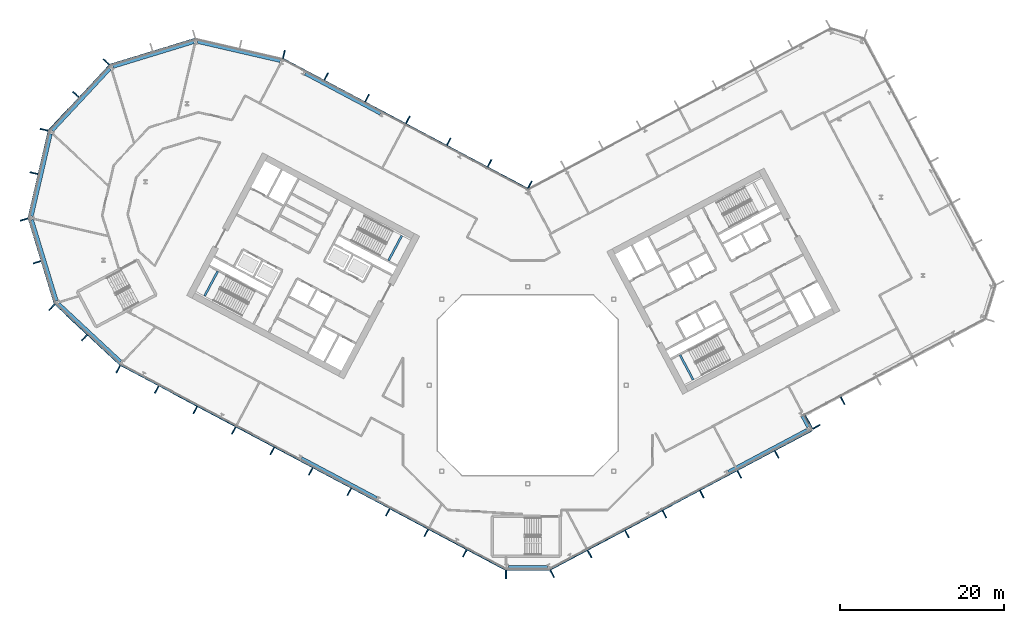
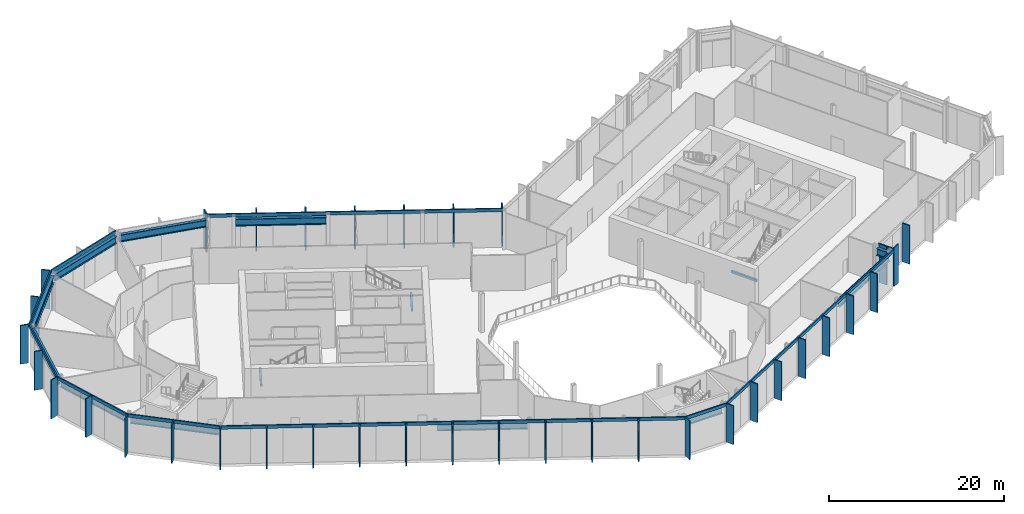
# One storey, part 9 of 31: 46 members, 14 beams, 12 elements without a shape of their own.
"""IFC4 building model written with IfcOpenShell, lengths in metres."""

from ifc_helpers import new_model, si_unit, direction, frame, origin, origin_2d, place, context, subcontext, project, spatial, rectangle, i_section, extrude, material, layer, layer_set, material_profile, profile_set, type_object, element, aggregate, save


model = new_model("IFC4")

# Units and contexts
model_context = context("Model", 3, precision=1e-05, world=origin(), true_north=direction((0.0, 1.0)))
body_context = subcontext(model_context, "Body", "Model", "MODEL_VIEW")
ifc_project = project(units=[si_unit("LENGTHUNIT", "METRE"), si_unit("AREAUNIT", "SQUARE_METRE"), si_unit("VOLUMEUNIT", "CUBIC_METRE"), si_unit("PLANEANGLEUNIT", "RADIAN"), si_unit("MASSUNIT", "GRAM", prefix="KILO")], contexts=[model_context])

# Site, building, storey
site_placement = place(None, origin())
site = spatial("IfcSite", under=ifc_project, at=site_placement, CompositionType="ELEMENT")
building_placement = place(site_placement, origin())
building = spatial("IfcBuilding", under=site, at=building_placement, Name="Cormorant Relay Tower", CompositionType="ELEMENT")
storey_placement = place(building_placement, frame((0.0, 0.0, 178.199951171875)))
storey = spatial("IfcBuildingStorey", under=building, at=storey_placement, Name="L38", CompositionType="ELEMENT", Elevation=178.199951171875)

# Curtain wall, member
ifc_material_1 = material(Name="Aluminium 6063-T6 anodised bronze", Category="aluminium")
ifc_layer = layer(ifc_material_1, 0.199951171875)
ifc_layer_set = layer_set([ifc_layer], Name="CW1 unitised bronze curtain wall with vertical fins")
curtain_wall_type = type_object("IfcCurtainWallType", Name="CW1 unitised bronze curtain wall with vertical fins", PredefinedType="NOTDEFINED", material=ifc_layer_set)
curtain_wall_1_placement = place(storey_placement, origin())
curtain_wall_1 = element("IfcCurtainWall", 1, at=curtain_wall_1_placement, inside=storey, type_object=curtain_wall_type, Name="CW1 curtain wall 1", PredefinedType="NOTDEFINED")
ifc_material_2 = material(Name="Aluminium 6063-T6 anodised bronze", Category="aluminium")
ifc_material_profile_1 = material_profile(ifc_material_2, rectangle(XDim=0.14990234375, YDim=1.0, at=origin_2d()), Name="AL 150x1000")
ifc_profile_set_1 = profile_set([ifc_material_profile_1], Name="Aluminium 6063-T6 anodised bronze")
member_type_1 = type_object("IfcMemberType", Name="CW1 bronze fin mullion 150 x 1000", PredefinedType="MULLION", material=ifc_profile_set_1)
member_1_placement = place(storey_placement, frame((-2.648681640625, -23.07568359375, 0.0), z_axis=(0.0, 0.0, 1.0), x_axis=(1.0, 0.0, 0.0)))
member_1 = element("IfcMember", 2, at=member_1_placement, type_object=member_type_1, Name="CW1 fin 1.1", PredefinedType="MULLION", context=body_context, shape_type="SweptSolid", body=[
    extrude(rectangle(XDim=0.14990234375, YDim=1.0, at=origin_2d()), origin(), (0.0, 0.0, 1.0), 5.400146484375),
])

# Curtain wall, members
curtain_wall_2_placement = place(storey_placement, origin())
curtain_wall_2 = element("IfcCurtainWall", 3, at=curtain_wall_2_placement, inside=storey, type_object=curtain_wall_type, Name="CW1 curtain wall 2", PredefinedType="NOTDEFINED")
member_2_placement = place(storey_placement, frame((2.9775390625, -22.99365234375, 0.0), z_axis=(0.0, 0.0, 1.0), x_axis=(0.882947592859, 0.469471562786, 0.0)))
member_2 = element("IfcMember", 4, at=member_2_placement, type_object=member_type_1, Name="CW1 fin 2.1", PredefinedType="MULLION", context=body_context, shape_type="SweptSolid", body=[
    extrude(rectangle(XDim=0.14990234375, YDim=1.0, at=origin_2d()), origin(), (0.0, 0.0, 1.0), 5.400146484375),
])
member_3_placement = place(storey_placement, frame((7.539306640625, -20.568115234375, 0.0), z_axis=(0.0, 0.0, 1.0), x_axis=(0.882947592859, 0.469471562786, 0.0)))
member_3 = element("IfcMember", 5, at=member_3_placement, type_object=member_type_1, Name="CW1 fin 2.2", PredefinedType="MULLION", context=body_context, shape_type="SweptSolid", body=[
    extrude(rectangle(XDim=0.14990234375, YDim=1.0, at=origin_2d()), origin(), (0.0, 0.0, 1.0), 5.400146484375),
])
member_4_placement = place(storey_placement, frame((12.10107421875, -18.142578125, 0.0), z_axis=(0.0, 0.0, 1.0), x_axis=(0.882947592859, 0.469471562786, 0.0)))
member_4 = element("IfcMember", 6, at=member_4_placement, type_object=member_type_1, Name="CW1 fin 2.3", PredefinedType="MULLION", context=body_context, shape_type="SweptSolid", body=[
    extrude(rectangle(XDim=0.14990234375, YDim=1.0, at=origin_2d()), origin(), (0.0, 0.0, 1.0), 5.400146484375),
])
member_5_placement = place(storey_placement, frame((16.662841796875, -15.717041015625, 0.0), z_axis=(0.0, 0.0, 1.0), x_axis=(0.882947592859, 0.469471562786, 0.0)))
member_5 = element("IfcMember", 7, at=member_5_placement, type_object=member_type_1, Name="CW1 fin 2.4", PredefinedType="MULLION", context=body_context, shape_type="SweptSolid", body=[
    extrude(rectangle(XDim=0.14990234375, YDim=1.0, at=origin_2d()), origin(), (0.0, 0.0, 1.0), 5.400146484375),
])
member_6_placement = place(storey_placement, frame((21.224609375, -13.29150390625, 0.0), z_axis=(0.0, 0.0, 1.0), x_axis=(0.882947592859, 0.469471562786, 0.0)))
member_6 = element("IfcMember", 8, at=member_6_placement, type_object=member_type_1, Name="CW1 fin 2.5", PredefinedType="MULLION", context=body_context, shape_type="SweptSolid", body=[
    extrude(rectangle(XDim=0.14990234375, YDim=1.0, at=origin_2d()), origin(), (0.0, 0.0, 1.0), 5.400146484375),
])
member_7_placement = place(storey_placement, frame((25.78662109375, -10.865966796875, 0.0), z_axis=(0.0, 0.0, 1.0), x_axis=(0.882947592859, 0.469471562786, 0.0)))
member_7 = element("IfcMember", 9, at=member_7_placement, type_object=member_type_1, Name="CW1 fin 2.6", PredefinedType="MULLION", context=body_context, shape_type="SweptSolid", body=[
    extrude(rectangle(XDim=0.14990234375, YDim=1.0, at=origin_2d()), origin(), (0.0, 0.0, 1.0), 5.400146484375),
])
member_8_placement = place(storey_placement, frame((30.348388671875, -8.440185546875, 0.0), z_axis=(0.0, 0.0, 1.0), x_axis=(0.882947592859, 0.469471562786, 0.0)))
member_8 = element("IfcMember", 10, at=member_8_placement, type_object=member_type_1, Name="CW1 fin 2.7", PredefinedType="MULLION", context=body_context, shape_type="SweptSolid", body=[
    extrude(rectangle(XDim=0.14990234375, YDim=1.0, at=origin_2d()), origin(), (0.0, 0.0, 1.0), 5.400146484375),
])

# Curtain wall, member
curtain_wall_3_placement = place(storey_placement, origin())
curtain_wall_3 = element("IfcCurtainWall", 11, at=curtain_wall_3_placement, inside=storey, type_object=curtain_wall_type, Name="CW1 curtain wall 3", PredefinedType="NOTDEFINED")
member_9_placement = place(storey_placement, frame((35.199462890625, -5.068115234375, 0.0), z_axis=(0.0, 0.0, 1.0), x_axis=(-0.469471562786, 0.882947592859, 0.0)))
member_9 = element("IfcMember", 12, at=member_9_placement, type_object=member_type_1, Name="CW1 fin 3.1", PredefinedType="MULLION", context=body_context, shape_type="SweptSolid", body=[
    extrude(rectangle(XDim=0.14990234375, YDim=1.0, at=origin_2d()), origin(), (0.0, 0.0, 1.0), 5.400146484375),
])

# Curtain wall, members
curtain_wall_4_placement = place(storey_placement, origin())
curtain_wall_4 = element("IfcCurtainWall", 13, at=curtain_wall_4_placement, inside=storey, type_object=curtain_wall_type, Name="CW1 curtain wall 4", PredefinedType="NOTDEFINED")
member_10_placement = place(storey_placement, frame((34.037353515625, -4.213623046875, 0.0), z_axis=(0.0, 0.0, 1.0), x_axis=(0.882947592859, 0.469471562786, 0.0)))
member_10 = element("IfcMember", 14, at=member_10_placement, type_object=member_type_1, Name="CW1 fin 4.1", PredefinedType="MULLION", context=body_context, shape_type="SweptSolid", body=[
    extrude(rectangle(XDim=0.14990234375, YDim=1.0, at=origin_2d()), origin(), (0.0, 0.0, 1.0), 5.400146484375),
])
member_11_placement = place(storey_placement, frame((38.385986328125, -1.901611328125, 0.0), z_axis=(0.0, 0.0, 1.0), x_axis=(0.882947592859, 0.469471562786, 0.0)))
member_11 = element("IfcMember", 15, at=member_11_placement, type_object=member_type_1, Name="CW1 fin 4.2", PredefinedType="MULLION", context=body_context, shape_type="SweptSolid", body=[
    extrude(rectangle(XDim=0.14990234375, YDim=1.0, at=origin_2d()), origin(), (0.0, 0.0, 1.0), 5.400146484375),
])
aggregate(curtain_wall_4, [member_10, member_11])

curtain_wall_5_placement = place(storey_placement, origin())
curtain_wall_5 = element("IfcCurtainWall", 16, at=curtain_wall_5_placement, inside=storey, type_object=curtain_wall_type, Name="CW1 curtain wall 9", PredefinedType="NOTDEFINED")
member_12_placement = place(storey_placement, frame((0.262451171875, 24.437255859375, 0.0), z_axis=(0.0, 0.0, 1.0), x_axis=(-0.882947592859, 0.469471562786, 0.0)))
member_12 = element("IfcMember", 17, at=member_12_placement, type_object=member_type_1, Name="CW1 fin 9.1", PredefinedType="MULLION", context=body_context, shape_type="SweptSolid", body=[
    extrude(rectangle(XDim=0.14990234375, YDim=1.0, at=origin_2d()), origin(), (0.0, 0.0, 1.0), 5.400146484375),
])
member_13_placement = place(storey_placement, frame((-4.650390625, 27.04931640625, 0.0), z_axis=(0.0, 0.0, 1.0), x_axis=(-0.882947592859, 0.469471562786, 0.0)))
member_13 = element("IfcMember", 18, at=member_13_placement, type_object=member_type_1, Name="CW1 fin 9.2", PredefinedType="MULLION", context=body_context, shape_type="SweptSolid", body=[
    extrude(rectangle(XDim=0.14990234375, YDim=1.0, at=origin_2d()), origin(), (0.0, 0.0, 1.0), 5.400146484375),
])
member_14_placement = place(storey_placement, frame((-9.62939453125, 29.69677734375, 0.0), z_axis=(0.0, 0.0, 1.0), x_axis=(-0.882947592859, 0.469471562786, 0.0)))
member_14 = element("IfcMember", 19, at=member_14_placement, type_object=member_type_1, Name="CW1 fin 9.3", PredefinedType="MULLION", context=body_context, shape_type="SweptSolid", body=[
    extrude(rectangle(XDim=0.14990234375, YDim=1.0, at=origin_2d()), origin(), (0.0, 0.0, 1.0), 5.400146484375),
])
member_15_placement = place(storey_placement, frame((-14.608154296875, 32.343994140625, 0.0), z_axis=(0.0, 0.0, 1.0), x_axis=(-0.882947592859, 0.469471562786, 0.0)))
member_15 = element("IfcMember", 20, at=member_15_placement, type_object=member_type_1, Name="CW1 fin 9.4", PredefinedType="MULLION", context=body_context, shape_type="SweptSolid", body=[
    extrude(rectangle(XDim=0.14990234375, YDim=1.0, at=origin_2d()), origin(), (0.0, 0.0, 1.0), 5.400146484375),
])
member_16_placement = place(storey_placement, frame((-19.587158203125, 34.991455078125, 0.0), z_axis=(0.0, 0.0, 1.0), x_axis=(-0.882947592859, 0.469471562786, 0.0)))
member_16 = element("IfcMember", 21, at=member_16_placement, type_object=member_type_1, Name="CW1 fin 9.5", PredefinedType="MULLION", context=body_context, shape_type="SweptSolid", body=[
    extrude(rectangle(XDim=0.14990234375, YDim=1.0, at=origin_2d()), origin(), (0.0, 0.0, 1.0), 5.400146484375),
])
member_17_placement = place(storey_placement, frame((-24.566162109375, 37.638916015625, 0.0), z_axis=(0.0, 0.0, 1.0), x_axis=(-0.882947592859, 0.469471562786, 0.0)))
member_17 = element("IfcMember", 22, at=member_17_placement, type_object=member_type_1, Name="CW1 fin 9.6", PredefinedType="MULLION", context=body_context, shape_type="SweptSolid", body=[
    extrude(rectangle(XDim=0.14990234375, YDim=1.0, at=origin_2d()), origin(), (0.0, 0.0, 1.0), 5.400146484375),
])

# Curtain wall, member
curtain_wall_6_placement = place(storey_placement, origin())
curtain_wall_6 = element("IfcCurtainWall", 23, at=curtain_wall_6_placement, inside=storey, type_object=curtain_wall_type, Name="CW1 curtain wall 10", PredefinedType="NOTDEFINED")
member_18_placement = place(storey_placement, frame((-29.71630859375, 40.35009765625, 0.0), z_axis=(0.0, 0.0, 1.0), x_axis=(-0.974370064785, 0.224951054344, 0.0)))
member_18 = element("IfcMember", 24, at=member_18_placement, type_object=member_type_1, Name="CW1 fin 10.1", PredefinedType="MULLION", context=body_context, shape_type="SweptSolid", body=[
    extrude(rectangle(XDim=0.14990234375, YDim=1.0, at=origin_2d()), origin(), (0.0, 0.0, 1.0), 5.400146484375),
])
aggregate(curtain_wall_6, [member_18])

# Curtain wall, members
curtain_wall_7_placement = place(storey_placement, origin())
curtain_wall_7 = element("IfcCurtainWall", 25, at=curtain_wall_7_placement, inside=storey, type_object=curtain_wall_type, Name="CW1 curtain wall 12", PredefinedType="NOTDEFINED")
member_19_placement = place(storey_placement, frame((-51.372802734375, 39.41259765625, 0.0), z_axis=(0.0, 0.0, 1.0), x_axis=(-0.681998360062, -0.731353701619, 0.0)))
member_19 = element("IfcMember", 26, at=member_19_placement, type_object=member_type_1, Name="CW1 fin 12.1", PredefinedType="MULLION", context=body_context, shape_type="SweptSolid", body=[
    extrude(rectangle(XDim=0.14990234375, YDim=1.0, at=origin_2d()), origin(), (0.0, 0.0, 1.0), 5.400146484375),
])
member_20_placement = place(storey_placement, frame((-55.07958984375, 35.4375, 0.0), z_axis=(0.0, 0.0, 1.0), x_axis=(-0.681998360062, -0.731353701619, 0.0)))
member_20 = element("IfcMember", 27, at=member_20_placement, type_object=member_type_1, Name="CW1 fin 12.2", PredefinedType="MULLION", context=body_context, shape_type="SweptSolid", body=[
    extrude(rectangle(XDim=0.14990234375, YDim=1.0, at=origin_2d()), origin(), (0.0, 0.0, 1.0), 5.400146484375),
])

curtain_wall_8_placement = place(storey_placement, origin())
curtain_wall_8 = element("IfcCurtainWall", 28, at=curtain_wall_8_placement, inside=storey, type_object=curtain_wall_type, Name="CW1 curtain wall 13", PredefinedType="NOTDEFINED")
member_21_placement = place(storey_placement, frame((-58.95654296875, 31.142578125, 0.0), z_axis=(0.0, 0.0, 1.0), x_axis=(-0.224951054344, -0.974370064785, 0.0)))
member_21 = element("IfcMember", 29, at=member_21_placement, type_object=member_type_1, Name="CW1 fin 13.1", PredefinedType="MULLION", context=body_context, shape_type="SweptSolid", body=[
    extrude(rectangle(XDim=0.14990234375, YDim=1.0, at=origin_2d()), origin(), (0.0, 0.0, 1.0), 5.400146484375),
])
member_22_placement = place(storey_placement, frame((-60.17919921875, 25.8466796875, 0.0), z_axis=(0.0, 0.0, 1.0), x_axis=(-0.224951054344, -0.974370064785, 0.0)))
member_22 = element("IfcMember", 30, at=member_22_placement, type_object=member_type_1, Name="CW1 fin 13.2", PredefinedType="MULLION", context=body_context, shape_type="SweptSolid", body=[
    extrude(rectangle(XDim=0.14990234375, YDim=1.0, at=origin_2d()), origin(), (0.0, 0.0, 1.0), 5.400146484375),
])

curtain_wall_9_placement = place(storey_placement, origin())
curtain_wall_9 = element("IfcCurtainWall", 31, at=curtain_wall_9_placement, inside=storey, type_object=curtain_wall_type, Name="CW1 curtain wall 14", PredefinedType="NOTDEFINED")
member_23_placement = place(storey_placement, frame((-61.389404296875, 20.188720703125, 0.0), z_axis=(0.0, 0.0, 1.0), x_axis=(0.292371704723, -0.956304755963, 0.0)))
member_23 = element("IfcMember", 32, at=member_23_placement, type_object=member_type_1, Name="CW1 fin 14.1", PredefinedType="MULLION", context=body_context, shape_type="SweptSolid", body=[
    extrude(rectangle(XDim=0.14990234375, YDim=1.0, at=origin_2d()), origin(), (0.0, 0.0, 1.0), 5.400146484375),
])
member_24_placement = place(storey_placement, frame((-59.80029296875, 14.990966796875, 0.0), z_axis=(0.0, 0.0, 1.0), x_axis=(0.292371704723, -0.956304755963, 0.0)))
member_24 = element("IfcMember", 33, at=member_24_placement, type_object=member_type_1, Name="CW1 fin 14.2", PredefinedType="MULLION", context=body_context, shape_type="SweptSolid", body=[
    extrude(rectangle(XDim=0.14990234375, YDim=1.0, at=origin_2d()), origin(), (0.0, 0.0, 1.0), 5.400146484375),
])

curtain_wall_10_placement = place(storey_placement, origin())
curtain_wall_10 = element("IfcCurtainWall", 34, at=curtain_wall_10_placement, inside=storey, type_object=curtain_wall_type, Name="CW1 curtain wall 15", PredefinedType="NOTDEFINED")
member_25_placement = place(storey_placement, frame((-58.01904296875, 9.486083984375, 0.0), z_axis=(0.0, 0.0, 1.0), x_axis=(0.731353701619, -0.681998360062, 0.0)))
member_25 = element("IfcMember", 35, at=member_25_placement, type_object=member_type_1, Name="CW1 fin 15.1", PredefinedType="MULLION", context=body_context, shape_type="SweptSolid", body=[
    extrude(rectangle(XDim=0.14990234375, YDim=1.0, at=origin_2d()), origin(), (0.0, 0.0, 1.0), 5.400146484375),
])
member_26_placement = place(storey_placement, frame((-54.0439453125, 5.779296875, 0.0), z_axis=(0.0, 0.0, 1.0), x_axis=(0.731353701619, -0.681998360062, 0.0)))
member_26 = element("IfcMember", 36, at=member_26_placement, type_object=member_type_1, Name="CW1 fin 15.2", PredefinedType="MULLION", context=body_context, shape_type="SweptSolid", body=[
    extrude(rectangle(XDim=0.14990234375, YDim=1.0, at=origin_2d()), origin(), (0.0, 0.0, 1.0), 5.400146484375),
])

curtain_wall_11_placement = place(storey_placement, origin())
curtain_wall_11 = element("IfcCurtainWall", 37, at=curtain_wall_11_placement, inside=storey, type_object=curtain_wall_type, Name="CW1 curtain wall 16", PredefinedType="NOTDEFINED")
member_27_placement = place(storey_placement, frame((-49.920166015625, 1.96630859375, 0.0), z_axis=(0.0, 0.0, 1.0), x_axis=(0.882947592859, -0.469471562786, 0.0)))
member_27 = element("IfcMember", 38, at=member_27_placement, type_object=member_type_1, Name="CW1 fin 16.1", PredefinedType="MULLION", context=body_context, shape_type="SweptSolid", body=[
    extrude(rectangle(XDim=0.14990234375, YDim=1.0, at=origin_2d()), origin(), (0.0, 0.0, 1.0), 5.400146484375),
])
member_28_placement = place(storey_placement, frame((-45.225830078125, -0.52978515625, 0.0), z_axis=(0.0, 0.0, 1.0), x_axis=(0.882947592859, -0.469471562786, 0.0)))
member_28 = element("IfcMember", 39, at=member_28_placement, type_object=member_type_1, Name="CW1 fin 16.2", PredefinedType="MULLION", context=body_context, shape_type="SweptSolid", body=[
    extrude(rectangle(XDim=0.14990234375, YDim=1.0, at=origin_2d()), origin(), (0.0, 0.0, 1.0), 5.400146484375),
])
member_29_placement = place(storey_placement, frame((-40.531494140625, -3.025634765625, 0.0), z_axis=(0.0, 0.0, 1.0), x_axis=(0.882947592859, -0.469471562786, 0.0)))
member_29 = element("IfcMember", 40, at=member_29_placement, type_object=member_type_1, Name="CW1 fin 16.3", PredefinedType="MULLION", context=body_context, shape_type="SweptSolid", body=[
    extrude(rectangle(XDim=0.14990234375, YDim=1.0, at=origin_2d()), origin(), (0.0, 0.0, 1.0), 5.400146484375),
])
member_30_placement = place(storey_placement, frame((-35.83740234375, -5.521728515625, 0.0), z_axis=(0.0, 0.0, 1.0), x_axis=(0.882947592859, -0.469471562786, 0.0)))
member_30 = element("IfcMember", 41, at=member_30_placement, type_object=member_type_1, Name="CW1 fin 16.4", PredefinedType="MULLION", context=body_context, shape_type="SweptSolid", body=[
    extrude(rectangle(XDim=0.14990234375, YDim=1.0, at=origin_2d()), origin(), (0.0, 0.0, 1.0), 5.400146484375),
])
member_31_placement = place(storey_placement, frame((-31.14306640625, -8.017578125, 0.0), z_axis=(0.0, 0.0, 1.0), x_axis=(0.882947592859, -0.469471562786, 0.0)))
member_31 = element("IfcMember", 42, at=member_31_placement, type_object=member_type_1, Name="CW1 fin 16.5", PredefinedType="MULLION", context=body_context, shape_type="SweptSolid", body=[
    extrude(rectangle(XDim=0.14990234375, YDim=1.0, at=origin_2d()), origin(), (0.0, 0.0, 1.0), 5.400146484375),
])
member_32_placement = place(storey_placement, frame((-26.44873046875, -10.513671875, 0.0), z_axis=(0.0, 0.0, 1.0), x_axis=(0.882947592859, -0.469471562786, 0.0)))
member_32 = element("IfcMember", 43, at=member_32_placement, type_object=member_type_1, Name="CW1 fin 16.6", PredefinedType="MULLION", context=body_context, shape_type="SweptSolid", body=[
    extrude(rectangle(XDim=0.14990234375, YDim=1.0, at=origin_2d()), origin(), (0.0, 0.0, 1.0), 5.400146484375),
])
member_33_placement = place(storey_placement, frame((-21.754638671875, -13.009765625, 0.0), z_axis=(0.0, 0.0, 1.0), x_axis=(0.882947592859, -0.469471562786, 0.0)))
member_33 = element("IfcMember", 44, at=member_33_placement, type_object=member_type_1, Name="CW1 fin 16.7", PredefinedType="MULLION", context=body_context, shape_type="SweptSolid", body=[
    extrude(rectangle(XDim=0.14990234375, YDim=1.0, at=origin_2d()), origin(), (0.0, 0.0, 1.0), 5.400146484375),
])
member_34_placement = place(storey_placement, frame((-17.060302734375, -15.505615234375, 0.0), z_axis=(0.0, 0.0, 1.0), x_axis=(0.882947592859, -0.469471562786, 0.0)))
member_34 = element("IfcMember", 45, at=member_34_placement, type_object=member_type_1, Name="CW1 fin 16.8", PredefinedType="MULLION", context=body_context, shape_type="SweptSolid", body=[
    extrude(rectangle(XDim=0.14990234375, YDim=1.0, at=origin_2d()), origin(), (0.0, 0.0, 1.0), 5.400146484375),
])
member_35_placement = place(storey_placement, frame((-12.365966796875, -18.001708984375, 0.0), z_axis=(0.0, 0.0, 1.0), x_axis=(0.882947592859, -0.469471562786, 0.0)))
member_35 = element("IfcMember", 46, at=member_35_placement, type_object=member_type_1, Name="CW1 fin 16.9", PredefinedType="MULLION", context=body_context, shape_type="SweptSolid", body=[
    extrude(rectangle(XDim=0.14990234375, YDim=1.0, at=origin_2d()), origin(), (0.0, 0.0, 1.0), 5.400146484375),
])
member_36_placement = place(storey_placement, frame((-7.671630859375, -20.49755859375, 0.0), z_axis=(0.0, 0.0, 1.0), x_axis=(0.882947592859, -0.469471562786, 0.0)))
member_36 = element("IfcMember", 47, at=member_36_placement, type_object=member_type_1, Name="CW1 fin 16.10", PredefinedType="MULLION", context=body_context, shape_type="SweptSolid", body=[
    extrude(rectangle(XDim=0.14990234375, YDim=1.0, at=origin_2d()), origin(), (0.0, 0.0, 1.0), 5.400146484375),
])

# Member
ifc_material_3 = material(Name="Aluminium 6063-T6 anodised bronze", Category="aluminium")
ifc_material_profile_2 = material_profile(ifc_material_3, rectangle(XDim=0.159912109375, YDim=0.449951171875, at=origin_2d()), Name="AL 160x450")
ifc_profile_set_2 = profile_set([ifc_material_profile_2], Name="Aluminium 6063-T6 anodised bronze")
member_type_2 = type_object("IfcMemberType", Name="CW1 bronze transom 160 x 450", PredefinedType="USERDEFINED", material=ifc_profile_set_2)
member_37_placement = place(storey_placement, frame((-2.648681640625, -22.49560546875, 5.175048828125), z_axis=(1.0, 0.0, 0.0), x_axis=(0.0, 1.0, 0.0)))
member_37 = element("IfcMember", 48, at=member_37_placement, type_object=member_type_2, Name="CW1 transom 1", ObjectType="TRANSOM", PredefinedType="USERDEFINED", context=body_context, shape_type="SweptSolid", body=[
    extrude(rectangle(XDim=0.159912109375, YDim=0.449951171875, at=origin_2d()), origin(), (0.0, 0.0, 1.0), 5.29736328125),
])

aggregate(curtain_wall_1, [member_1, member_37])

member_38_placement = place(storey_placement, frame((2.705078125, -22.4814453125, 5.175048828125), z_axis=(0.882948899141, 0.469469106018, 0.0), x_axis=(-0.469469106018, 0.882948899141, 0.0)))
member_38 = element("IfcMember", 49, at=member_38_placement, type_object=member_type_2, Name="CW1 transom 2", ObjectType="TRANSOM", PredefinedType="USERDEFINED", context=body_context, shape_type="SweptSolid", body=[
    extrude(rectangle(XDim=0.159912109375, YDim=0.449951171875, at=origin_2d()), origin(), (0.0, 0.0, 1.0), 36.165771484375),
])

aggregate(curtain_wall_2, [member_2, member_3, member_4, member_5, member_6, member_7, member_8, member_38])

member_39_placement = place(storey_placement, frame((34.6875, -5.34033203125, 5.175048828125), z_axis=(-0.469580583036, 0.88288961713, 0.0), x_axis=(-0.88288961713, -0.469580583036, 0.0)))
member_39 = element("IfcMember", 50, at=member_39_placement, type_object=member_type_2, Name="CW1 transom 3", ObjectType="TRANSOM", PredefinedType="USERDEFINED", context=body_context, shape_type="SweptSolid", body=[
    extrude(rectangle(XDim=0.159912109375, YDim=0.449951171875, at=origin_2d()), origin(), (0.0, 0.0, 1.0), 2.0),
])

aggregate(curtain_wall_3, [member_9, member_39])

member_40_placement = place(storey_placement, frame((0.056396484375, 23.889892578125, 5.175048828125), z_axis=(-0.882946280328, 0.46947403129, 0.0), x_axis=(-0.46947403129, -0.882946280328, 0.0)))
member_40 = element("IfcMember", 51, at=member_40_placement, type_object=member_type_2, Name="CW1 transom 9", ObjectType="TRANSOM", PredefinedType="USERDEFINED", context=body_context, shape_type="SweptSolid", body=[
    extrude(rectangle(XDim=0.159912109375, YDim=0.449951171875, at=origin_2d()), origin(), (0.0, 0.0, 1.0), 33.834228515625),
])

aggregate(curtain_wall_5, [member_12, member_13, member_14, member_15, member_16, member_17, member_40])

# Curtain wall, member
curtain_wall_12_placement = place(storey_placement, origin())
curtain_wall_12 = element("IfcCurtainWall", 52, at=curtain_wall_12_placement, inside=storey, type_object=curtain_wall_type, Name="CW1 curtain wall 11", PredefinedType="NOTDEFINED")
member_41_placement = place(storey_placement, frame((-40.50048828125, 42.228271484375, 5.175048828125), z_axis=(-0.956304833932, -0.292371449698, 0.0), x_axis=(0.292371449698, -0.956304833932, 0.0)))
member_41 = element("IfcMember", 53, at=member_41_placement, type_object=member_type_2, Name="CW1 transom 11", ObjectType="TRANSOM", PredefinedType="USERDEFINED", context=body_context, shape_type="SweptSolid", body=[
    extrude(rectangle(XDim=0.159912109375, YDim=0.449951171875, at=origin_2d()), origin(), (0.0, 0.0, 1.0), 10.87060546875),
])
aggregate(curtain_wall_12, [member_41])

# Member
member_42_placement = place(storey_placement, frame((-50.94873046875, 39.01708984375, 5.175048828125), z_axis=(-0.681993299437, -0.731358420696, 0.0), x_axis=(0.731358420696, -0.681993299437, 0.0)))
member_42 = element("IfcMember", 54, at=member_42_placement, type_object=member_type_2, Name="CW1 transom 12", ObjectType="TRANSOM", PredefinedType="USERDEFINED", context=body_context, shape_type="SweptSolid", body=[
    extrude(rectangle(XDim=0.159912109375, YDim=0.449951171875, at=origin_2d()), origin(), (0.0, 0.0, 1.0), 10.870361328125),
])

aggregate(curtain_wall_7, [member_19, member_20, member_42])

member_43_placement = place(storey_placement, frame((-58.3916015625, 31.01220703125, 5.175048828125), z_axis=(-0.22495136131, -0.974369993916, 0.0), x_axis=(0.974369993916, -0.22495136131, 0.0)))
member_43 = element("IfcMember", 55, at=member_43_placement, type_object=member_type_2, Name="CW1 transom 13", ObjectType="TRANSOM", PredefinedType="USERDEFINED", context=body_context, shape_type="SweptSolid", body=[
    extrude(rectangle(XDim=0.159912109375, YDim=0.449951171875, at=origin_2d()), origin(), (0.0, 0.0, 1.0), 10.870361328125),
])

aggregate(curtain_wall_8, [member_21, member_22, member_43])

member_44_placement = place(storey_placement, frame((-60.834716796875, 20.358154296875, 5.175048828125), z_axis=(0.292377729282, -0.95630291405, 0.0), x_axis=(0.95630291405, 0.292377729282, 0.0)))
member_44 = element("IfcMember", 56, at=member_44_placement, type_object=member_type_2, Name="CW1 transom 14", ObjectType="TRANSOM", PredefinedType="USERDEFINED", context=body_context, shape_type="SweptSolid", body=[
    extrude(rectangle(XDim=0.159912109375, YDim=0.449951171875, at=origin_2d()), origin(), (0.0, 0.0, 1.0), 10.870361328125),
])

aggregate(curtain_wall_9, [member_23, member_24, member_44])

member_45_placement = place(storey_placement, frame((-57.62353515625, 9.91015625, 5.175048828125), z_axis=(0.731358420696, -0.681993299437, 0.0), x_axis=(0.681993299437, 0.731358420696, 0.0)))
member_45 = element("IfcMember", 57, at=member_45_placement, type_object=member_type_2, Name="CW1 transom 15", ObjectType="TRANSOM", PredefinedType="USERDEFINED", context=body_context, shape_type="SweptSolid", body=[
    extrude(rectangle(XDim=0.159912109375, YDim=0.449951171875, at=origin_2d()), origin(), (0.0, 0.0, 1.0), 10.870361328125),
])

aggregate(curtain_wall_10, [member_25, member_26, member_45])

member_46_placement = place(storey_placement, frame((-49.64794921875, 2.478515625, 5.175048828125), z_axis=(0.882947642542, -0.469471469346, 0.0), x_axis=(0.469471469346, 0.882947642542, 0.0)))
member_46 = element("IfcMember", 58, at=member_46_placement, type_object=member_type_2, Name="CW1 transom 16", ObjectType="TRANSOM", PredefinedType="USERDEFINED", context=body_context, shape_type="SweptSolid", body=[
    extrude(rectangle(XDim=0.159912109375, YDim=0.449951171875, at=origin_2d()), origin(), (0.0, 0.0, 1.0), 53.166015625),
])

aggregate(curtain_wall_11, [member_27, member_28, member_29, member_30, member_31, member_32, member_33, member_34, member_35, member_36, member_46])

# Beams
ifc_material_4 = material(Name="Steel ASTM A992 (Fy 345 MPa)", Category="steel")
ifc_material_profile_3 = material_profile(ifc_material_4, i_section(OverallWidth=0.4013671875, OverallDepth=1.000732421875, WebThickness=0.01904296875, FlangeThickness=0.0361328125, FilletRadius=0.02978515625, at=origin_2d()), Name="W1000x371")
ifc_profile_set_3 = profile_set([ifc_material_profile_3], Name="Steel ASTM A992 (Fy 345 MPa)")
beam_type_1 = type_object("IfcBeamType", Name="Spandrel W1000x371", PredefinedType="SPANDREL", material=ifc_profile_set_3)
beam_1_placement = place(storey_placement, frame((-2.35888671875, -22.1748046875, 4.44970703125), z_axis=(1.0, 0.0, 0.0), x_axis=(0.0, 1.0, 0.0)))
element("IfcBeam", 59, at=beam_1_placement, inside=storey, type_object=beam_type_1, Name="Spandrel beam L38-001", PredefinedType="SPANDREL", context=body_context, shape_type="SweptSolid", body=[
    extrude(i_section(OverallWidth=0.4013671875, OverallDepth=1.000732421875, WebThickness=0.01904296875, FlangeThickness=0.0361328125, FilletRadius=0.02978515625, at=origin_2d()), origin(), (0.0, 0.0, 1.0), 4.748046875),
])
beam_2_placement = place(storey_placement, frame((24.427001953125, -10.568603515625, 4.44970703125), z_axis=(0.88295524081, 0.469457178799, 0.0), x_axis=(-0.469457178799, 0.88295524081, 0.0)))
element("IfcBeam", 60, at=beam_2_placement, inside=storey, type_object=beam_type_1, Name="Spandrel beam L38-002", PredefinedType="SPANDREL", context=body_context, shape_type="SweptSolid", body=[
    extrude(i_section(OverallWidth=0.4013671875, OverallDepth=1.000732421875, WebThickness=0.01904296875, FlangeThickness=0.0361328125, FilletRadius=0.02978515625, at=origin_2d()), origin(), (0.0, 0.0, 1.0), 10.915771484375),
])
beam_3_placement = place(storey_placement, frame((34.191650390625, -5.091064453125, 4.44970703125), z_axis=(-0.469471937736, 0.882947393494, 0.0), x_axis=(-0.882947393494, -0.469471937736, 0.0)))
element("IfcBeam", 61, at=beam_3_placement, inside=storey, type_object=beam_type_1, Name="Spandrel beam L38-003", PredefinedType="SPANDREL", context=body_context, shape_type="SweptSolid", body=[
    extrude(i_section(OverallWidth=0.4013671875, OverallDepth=1.000732421875, WebThickness=0.01904296875, FlangeThickness=0.0361328125, FilletRadius=0.02978515625, at=origin_2d()), origin(), (0.0, 0.0, 1.0), 1.521728515625),
])
beam_4_placement = place(storey_placement, frame((-17.964599609375, 33.108642578125, 4.44970703125), z_axis=(-0.882946180893, 0.469474218299, 0.0), x_axis=(-0.469474218299, -0.882946180893, 0.0)))
element("IfcBeam", 62, at=beam_4_placement, inside=storey, type_object=beam_type_1, Name="Spandrel beam L38-009", PredefinedType="SPANDREL", context=body_context, shape_type="SweptSolid", body=[
    extrude(i_section(OverallWidth=0.4013671875, OverallDepth=1.000732421875, WebThickness=0.01904296875, FlangeThickness=0.0361328125, FilletRadius=0.02978515625, at=origin_2d()), origin(), (0.0, 0.0, 1.0), 10.388671875),
])
beam_5_placement = place(storey_placement, frame((-30.162109375, 39.52880859375, 4.44970703125), z_axis=(-0.974371727644, 0.224943851591, 0.0), x_axis=(-0.224943851591, -0.974371727644, 0.0)))
element("IfcBeam", 63, at=beam_5_placement, inside=storey, type_object=beam_type_1, Name="Spandrel beam L38-010", PredefinedType="SPANDREL", context=body_context, shape_type="SweptSolid", body=[
    extrude(i_section(OverallWidth=0.4013671875, OverallDepth=1.000732421875, WebThickness=0.01904296875, FlangeThickness=0.0361328125, FilletRadius=0.02978515625, at=origin_2d()), origin(), (0.0, 0.0, 1.0), 10.3583984375),
])
beam_6_placement = place(storey_placement, frame((-40.69140625, 41.834716796875, 4.44970703125), z_axis=(-0.95629714744, -0.292396589921, 0.0), x_axis=(0.292396589921, -0.95629714744, 0.0)))
element("IfcBeam", 64, at=beam_6_placement, inside=storey, type_object=beam_type_1, Name="Spandrel beam L38-011", PredefinedType="SPANDREL", context=body_context, shape_type="SweptSolid", body=[
    extrude(i_section(OverallWidth=0.4013671875, OverallDepth=1.000732421875, WebThickness=0.01904296875, FlangeThickness=0.0361328125, FilletRadius=0.02978515625, at=origin_2d()), origin(), (0.0, 0.0, 1.0), 10.31103515625),
])
beam_7_placement = place(storey_placement, frame((-50.917236328125, 38.58056640625, 4.44970703125), z_axis=(-0.682003508788, -0.731348900321, 0.0), x_axis=(0.731348900321, -0.682003508788, 0.0)))
element("IfcBeam", 65, at=beam_7_placement, inside=storey, type_object=beam_type_1, Name="Spandrel beam L38-012", PredefinedType="SPANDREL", context=body_context, shape_type="SweptSolid", body=[
    extrude(i_section(OverallWidth=0.4013671875, OverallDepth=1.000732421875, WebThickness=0.01904296875, FlangeThickness=0.0361328125, FilletRadius=0.02978515625, at=origin_2d()), origin(), (0.0, 0.0, 1.0), 10.310791015625),
])
for number, where, z_axis, x_axis, name in (
    (66, (-58.14599609375, 30.64990234375, 4.44970703125), (-0.224951162328, -0.974370039855, 0.0), (0.974370039855, -0.224951162328, 0.0), "Spandrel beam L38-013"),
    (67, (-60.44091796875, 20.16748046875, 4.44970703125), (0.292366522639, -0.95630634027, 0.0), (0.95630634027, 0.292366522639, 0.0), "Spandrel beam L38-014"),
):
    element("IfcBeam", number, at=place(storey_placement, frame(where, z_axis=z_axis, x_axis=x_axis)), inside=storey, type_object=beam_type_1, Name=name, PredefinedType="SPANDREL", context=body_context, shape_type="SweptSolid", body=[
        extrude(i_section(OverallWidth=0.4013671875, OverallDepth=1.000732421875, WebThickness=0.01904296875, FlangeThickness=0.0361328125, FilletRadius=0.02978515625, at=origin_2d()), origin(), (0.0, 0.0, 1.0), 10.310302734375),
    ])
beam_8_placement = place(storey_placement, frame((-57.1875, 9.94189453125, 4.44970703125), z_axis=(0.731351225545, -0.682001015317, 0.0), x_axis=(0.682001015317, 0.731351225545, 0.0)))
element("IfcBeam", 68, at=beam_8_placement, inside=storey, type_object=beam_type_1, Name="Spandrel beam L38-015", PredefinedType="SPANDREL", context=body_context, shape_type="SweptSolid", body=[
    extrude(i_section(OverallWidth=0.4013671875, OverallDepth=1.000732421875, WebThickness=0.01904296875, FlangeThickness=0.0361328125, FilletRadius=0.02978515625, at=origin_2d()), origin(), (0.0, 0.0, 1.0), 10.33935546875),
])
beam_9_placement = place(storey_placement, frame((-27.595458984375, -8.8837890625, 4.44970703125), z_axis=(0.882941619164, -0.4694827975, 0.0), x_axis=(0.4694827975, 0.882941619164, 0.0)))
element("IfcBeam", 69, at=beam_9_placement, inside=storey, type_object=beam_type_1, Name="Spandrel beam L38-016", PredefinedType="SPANDREL", context=body_context, shape_type="SweptSolid", body=[
    extrude(i_section(OverallWidth=0.4013671875, OverallDepth=1.000732421875, WebThickness=0.01904296875, FlangeThickness=0.0361328125, FilletRadius=0.02978515625, at=origin_2d()), origin(), (0.0, 0.0, 1.0), 10.388916015625),
])
ifc_material_5 = material(Name="Concrete 50 MPa", Category="concrete")
ifc_material_profile_4 = material_profile(ifc_material_5, rectangle(XDim=0.25, YDim=0.300048828125, at=origin_2d()), Name="RC 250x300")
ifc_profile_set_4 = profile_set([ifc_material_profile_4], Name="Concrete 50 MPa")
beam_type_2 = type_object("IfcBeamType", Name="Stair landing ledge beam 250x300", PredefinedType="BEAM", material=ifc_profile_set_4)
for number, where, z_axis, x_axis, name in (
    (70, (-16.9677734375, 15.1943359375, 2.35009765625), (0.469463917486, 0.882951657895, 0.0), (-0.882951657895, 0.469463917486, 0.0), "A1 landing ledge beam"),
    (71, (-37.77490234375, 13.912841796875, 2.35009765625), (-0.469519084434, -0.88292232351, 0.0), (0.88292232351, -0.469519084434, 0.0), "A2 landing ledge beam"),
    (72, (18.55322265625, 3.6923828125, 2.35009765625), (0.469463917486, -0.882951657895, 0.0), (0.882951657895, 0.469463917486, 0.0), "B1 landing ledge beam"),
):
    element("IfcBeam", number, at=place(storey_placement, frame(where, z_axis=z_axis, x_axis=x_axis)), inside=storey, type_object=beam_type_2, Name=name, PredefinedType="BEAM", context=body_context, shape_type="SweptSolid", body=[
        extrude(rectangle(XDim=0.25, YDim=0.300048828125, at=origin_2d()), origin(), (0.0, 0.0, 1.0), 3.449951171875),
    ])

save(model, "model.ifc")
